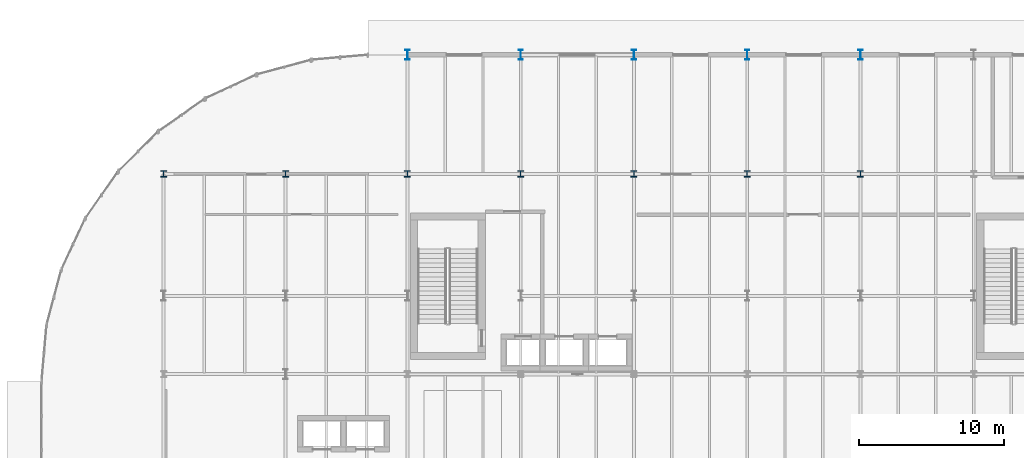
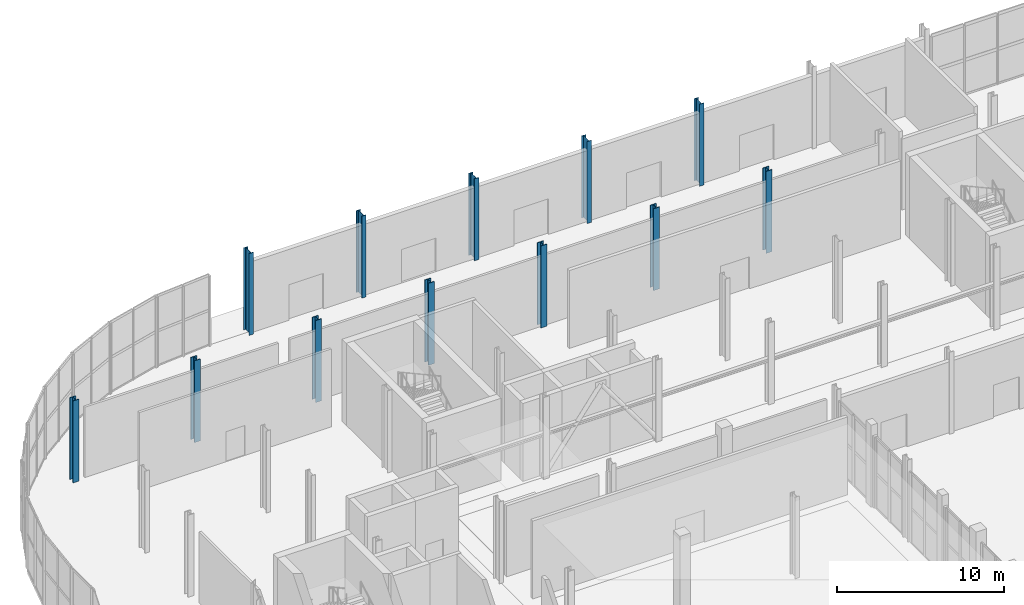
# One storey, part 10 of 84: 12 columns.
"""IFC4 building model written with IfcOpenShell, lengths in metres."""

from ifc_helpers import new_model, si_unit, direction, frame, origin, origin_2d, place, context, subcontext, project, spatial, i_section, extrude, material, material_profile, profile_set, type_object, element, save


model = new_model("IFC4")

# Units and contexts
model_context = context("Model", 3, precision=1e-05, world=origin(), true_north=direction((0.0, 1.0)))
body_context = subcontext(model_context, "Body", "Model", "MODEL_VIEW")
ifc_project = project(units=[si_unit("LENGTHUNIT", "METRE"), si_unit("AREAUNIT", "SQUARE_METRE"), si_unit("VOLUMEUNIT", "CUBIC_METRE"), si_unit("PLANEANGLEUNIT", "RADIAN"), si_unit("MASSUNIT", "GRAM", prefix="KILO")], contexts=[model_context])

# Site, building, storey
site_placement = place(None, origin())
site = spatial("IfcSite", under=ifc_project, at=site_placement, CompositionType="ELEMENT")
building_placement = place(site_placement, origin())
building = spatial("IfcBuilding", under=site, at=building_placement, Name="Sefraquen Railside Congress Hotel", CompositionType="ELEMENT")
storey_placement = place(building_placement, origin())
storey = spatial("IfcBuildingStorey", under=building, at=storey_placement, Name="L00", CompositionType="ELEMENT", Elevation=0.0)

# Columns
ifc_material_1 = material(Name="Steel S355J2", Category="steel")
ifc_material_profile_1 = material_profile(ifc_material_1, i_section(OverallWidth=0.416015625, OverallDepth=0.446044921875, WebThickness=0.035888671875, FlangeThickness=0.048095703125, FilletRadius=0.014892578125, at=origin_2d()), Name="HD 400x509")
ifc_profile_set_1 = profile_set([ifc_material_profile_1], Name="Steel S355J2")
column_type_1 = type_object("IfcColumnType", Name="TC-HD-509", PredefinedType="COLUMN", material=ifc_profile_set_1)
for number, where, z_axis, x_axis, name in (
    (1, (8.39990234375, 109.800048828125, 0.0), (0.0, 0.0, 1.0), (1.0, 0.0, 0.0), "Structural column 2-P L00"),
    (2, (16.800048828125, 109.800048828125, 0.0), (0.0, 0.0, 1.0), (1.0, 0.0, 0.0), "Structural column 3-P L00"),
    (3, (25.199951171875, 109.800048828125, 0.0), (0.0, 0.0, 1.0), (1.0, 0.0, 0.0), "Structural column 4-P L00"),
    (4, (33.0, 109.800048828125, 0.0), (0.0, 0.0, 1.0), (1.0, 0.0, 0.0), "Structural column 5-P L00"),
    (5, (40.800048828125, 109.800048828125, 0.0), (0.0, 0.0, 1.0), (1.0, 0.0, 0.0), "Structural column 6-P L00"),
    (6, (48.60009765625, 109.800048828125, 0.0), (0.0, 0.0, 1.0), (1.0, 0.0, 0.0), "Structural column 7-P L00"),
    (7, (56.39990234375, 109.800048828125, 0.0), (0.0, 0.0, 1.0), (1.0, 0.0, 0.0), "Structural column 8-P L00"),
):
    element("IfcColumn", number, at=place(storey_placement, frame(where, z_axis=z_axis, x_axis=x_axis)), inside=storey, type_object=column_type_1, Name=name, PredefinedType="COLUMN", context=body_context, shape_type="SweptSolid", body=[
        extrude(i_section(OverallWidth=0.416015625, OverallDepth=0.446044921875, WebThickness=0.035888671875, FlangeThickness=0.048095703125, FilletRadius=0.014892578125, at=origin_2d()), origin(), (0.0, 0.0, 1.0), 6.0),
    ])
ifc_material_2 = material(Name="Steel S355JR", Category="steel")
ifc_material_profile_2 = material_profile(ifc_material_2, i_section(OverallWidth=0.300048828125, OverallDepth=0.699951171875, WebThickness=0.01708984375, FlangeThickness=0.031982421875, FilletRadius=0.027099609375, at=origin_2d()), Name="HEB 700")
ifc_profile_set_2 = profile_set([ifc_material_profile_2], Name="Steel S355JR")
column_type_2 = type_object("IfcColumnType", Name="TC-HEB-700", PredefinedType="COLUMN", material=ifc_profile_set_2)
for number, where, z_axis, x_axis, name in (
    (8, (25.199951171875, 118.0, 0.0), (0.0, 0.0, 1.0), (1.0, 0.0, 0.0), "Structural column 4-Q L00"),
    (9, (33.0, 118.0, 0.0), (0.0, 0.0, 1.0), (1.0, 0.0, 0.0), "Structural column 5-Q L00"),
    (10, (40.800048828125, 118.0, 0.0), (0.0, 0.0, 1.0), (1.0, 0.0, 0.0), "Structural column 6-Q L00"),
    (11, (48.60009765625, 118.0, 0.0), (0.0, 0.0, 1.0), (1.0, 0.0, 0.0), "Structural column 7-Q L00"),
    (12, (56.39990234375, 118.0, 0.0), (0.0, 0.0, 1.0), (1.0, 0.0, 0.0), "Structural column 8-Q L00"),
):
    element("IfcColumn", number, at=place(storey_placement, frame(where, z_axis=z_axis, x_axis=x_axis)), inside=storey, type_object=column_type_2, Name=name, PredefinedType="COLUMN", context=body_context, shape_type="SweptSolid", body=[
        extrude(i_section(OverallWidth=0.300048828125, OverallDepth=0.699951171875, WebThickness=0.01708984375, FlangeThickness=0.031982421875, FilletRadius=0.027099609375, at=origin_2d()), origin(), (0.0, 0.0, 1.0), 6.0),
    ])

save(model, "model.ifc")
